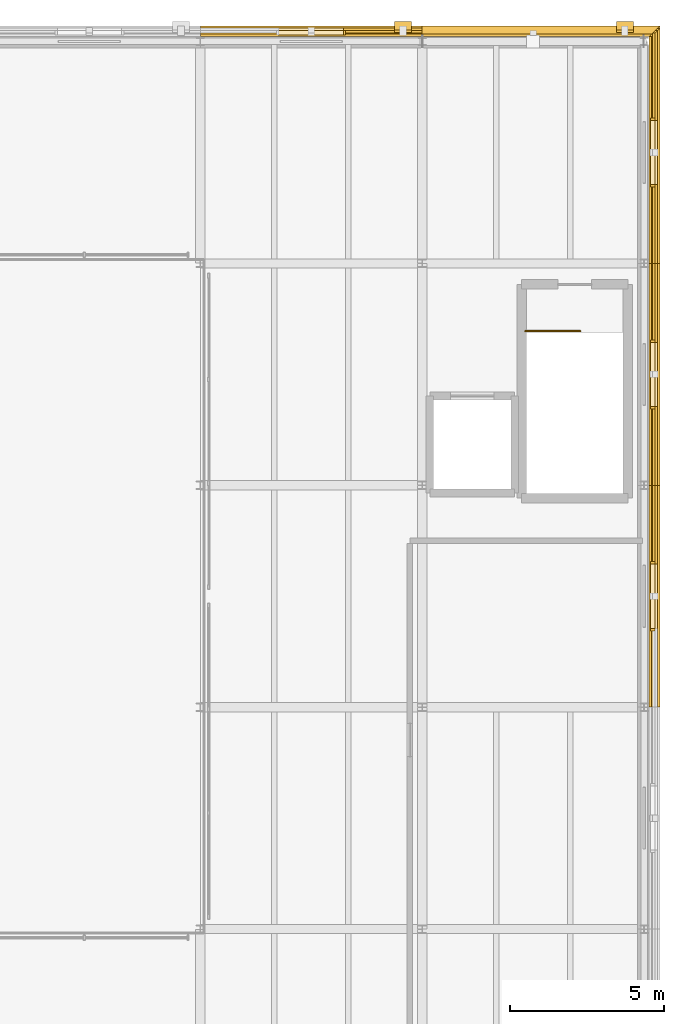
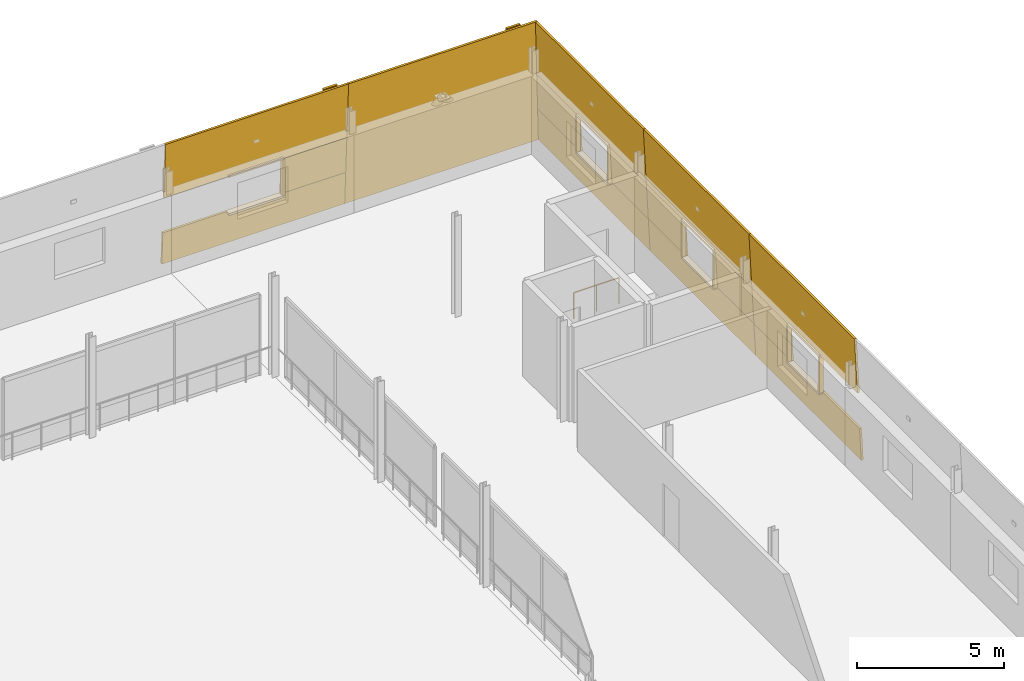
# One storey, part 115 of 115: 32 coverings, 1 railing.
"""IFC4 building model written with IfcOpenShell, lengths in metres."""

from ifc_helpers import new_model, si_unit, direction, frame, origin, origin_2d, place, context, subcontext, project, spatial, polyline, circle, outline, extrude, material, layer, layer_set, type_object, element, save


model = new_model("IFC4")

# Units and contexts
model_context = context("Model", 3, precision=1e-05, world=origin(), true_north=direction((0.0, 1.0)))
body_context = subcontext(model_context, "Body", "Model", "MODEL_VIEW")
ifc_project = project(units=[si_unit("LENGTHUNIT", "METRE"), si_unit("AREAUNIT", "SQUARE_METRE"), si_unit("VOLUMEUNIT", "CUBIC_METRE"), si_unit("PLANEANGLEUNIT", "RADIAN"), si_unit("MASSUNIT", "GRAM", prefix="KILO")], contexts=[model_context])

# Site, building, storey
site_placement = place(None, origin())
site = spatial("IfcSite", under=ifc_project, at=site_placement, CompositionType="ELEMENT")
building_placement = place(site_placement, origin())
building = spatial("IfcBuilding", under=site, at=building_placement, Name="Narikvali Park Central Library", CompositionType="ELEMENT")
storey_placement = place(building_placement, frame((0.0, 0.0, 10.199951171875)))
storey = spatial("IfcBuildingStorey", under=building, at=storey_placement, Name="L02", CompositionType="ELEMENT", Elevation=10.199951171875)

# Coverings
ifc_material_1 = material(Name="White Honed Limestone Cladding", Category="masonry")
ifc_layer_1 = layer(ifc_material_1, 0.0849609375, Name="White Honed Limestone Cladding")
ifc_layer_set_1 = layer_set([ifc_layer_1], Name="White Honed Limestone Cladding")
covering_type_1 = type_object("IfcCoveringType", Name="Battered White Limestone Facade Cladding Panel", PredefinedType="CLADDING", material=ifc_layer_set_1)
covering_1_placement = place(storey_placement, frame((166.1083984375, 93.60009765625, 0.0), z_axis=(0.998646611858, 0.0, 0.052009082137), x_axis=(0.0, 1.0, 0.0)))
element("IfcCovering", 1, at=covering_1_placement, inside=storey, type_object=covering_type_1, Name="V3 L02 E Battered Limestone Spandrel B03", PredefinedType="CLADDING", context=body_context, shape_type="SweptSolid", body=[
    extrude(outline(polyline([(0.0, 0.0), (7.199951171875, 0.0), (7.199951171875, 1.3519273386791144), (0.0, 1.3519273386791144), (0.0, 0.0)])), origin(), (0.0, 0.0, -1.0), 0.0849609375),
])
covering_2_placement = place(storey_placement, frame((165.9599609375, 93.60009765625, 2.85009765625), z_axis=(0.998644637883, 0.0, 0.052046971362), x_axis=(0.0, 1.0, 0.0)))
element("IfcCovering", 2, at=covering_2_placement, inside=storey, type_object=covering_type_1, Name="V3 L02 E Battered Limestone Lintel B03", PredefinedType="CLADDING", context=body_context, shape_type="SweptSolid", body=[
    extrude(outline(polyline([(0.0, 0.0), (7.199951171875, 0.0), (7.199951171875, 2.3031704581133985), (0.0, 2.3031704581133985), (0.0, 0.0)])), origin(), (0.0, 0.0, -1.0), 0.0849609375),
])
covering_3_placement = place(storey_placement, frame((166.0380859375, 98.239990234375, 1.35009765625), z_axis=(0.998646416446, 0.0, 0.05201283419), x_axis=(0.0, 1.0, 0.0)))
element("IfcCovering", 3, at=covering_3_placement, inside=storey, type_object=covering_type_1, Name="V3 L02 E Battered Limestone Jamb Pier R B03", PredefinedType="CLADDING", context=body_context, shape_type="SweptSolid", body=[
    extrude(outline(polyline([(0.0, 0.0), (2.56005859375, 0.0), (2.56005859375, 1.5020331273394072), (0.0, 1.5020331273394072), (0.0, 0.0)])), origin(), (0.0, 0.0, -1.0), 0.0849609375),
])
covering_4_placement = place(storey_placement, frame((166.1083984375, 100.800048828125, 0.0), z_axis=(0.998646611858, 0.0, 0.052009082137), x_axis=(0.0, 1.0, 0.0)))
element("IfcCovering", 4, at=covering_4_placement, inside=storey, type_object=covering_type_1, Name="V3 L02 E Battered Limestone Spandrel B04", PredefinedType="CLADDING", context=body_context, shape_type="SweptSolid", body=[
    extrude(outline(polyline([(0.0, 0.0), (7.199951171875, 0.0), (7.199951171875, 1.3519273386791144), (0.0, 1.3519273386791144), (0.0, 0.0)])), origin(), (0.0, 0.0, -1.0), 0.0849609375),
])
covering_5_placement = place(storey_placement, frame((165.9599609375, 100.800048828125, 2.85009765625), z_axis=(0.998644637883, 0.0, 0.052046971362), x_axis=(0.0, 1.0, 0.0)))
element("IfcCovering", 5, at=covering_5_placement, inside=storey, type_object=covering_type_1, Name="V3 L02 E Battered Limestone Lintel B04", PredefinedType="CLADDING", context=body_context, shape_type="SweptSolid", body=[
    extrude(outline(polyline([(0.0, 0.0), (7.199951171875, 0.0), (7.199951171875, 2.3031704581133985), (0.0, 2.3031704581133985), (0.0, 0.0)])), origin(), (0.0, 0.0, -1.0), 0.0849609375),
])
for number, where, z_axis, x_axis, name in (
    (6, (166.0380859375, 100.800048828125, 1.35009765625), (0.998646416446, 0.0, 0.05201283419), (0.0, 1.0, 0.0), "V3 L02 E Battered Limestone Jamb Pier L B04"),
    (7, (166.0380859375, 105.43994140625, 1.35009765625), (0.998646416446, 0.0, 0.05201283419), (0.0, 1.0, 0.0), "V3 L02 E Battered Limestone Jamb Pier R B04"),
):
    element("IfcCovering", number, at=place(storey_placement, frame(where, z_axis=z_axis, x_axis=x_axis)), inside=storey, type_object=covering_type_1, Name=name, PredefinedType="CLADDING", context=body_context, shape_type="SweptSolid", body=[
        extrude(outline(polyline([(0.0, 0.0), (2.56005859375, 0.0), (2.56005859375, 1.5020331273394072), (0.0, 1.5020331273394072), (0.0, 0.0)])), origin(), (0.0, 0.0, -1.0), 0.0849609375),
    ])
covering_6_placement = place(storey_placement, frame((166.1083984375, 108.0, 0.0), z_axis=(0.998646611858, 0.0, 0.052009082137), x_axis=(0.0, 1.0, 0.0)))
element("IfcCovering", 8, at=covering_6_placement, inside=storey, type_object=covering_type_1, Name="V3 L02 E Battered Limestone Spandrel B05", PredefinedType="CLADDING", context=body_context, shape_type="SweptSolid", body=[
    extrude(outline(polyline([(0.0, 0.0), (7.623291015625, 0.0), (7.552978515625, 1.3519273386791146), (0.0, 1.3519273386791146), (0.0, 0.0)])), origin(), (0.0, 0.0, -1.0), 0.0849609375),
])
covering_7_placement = place(storey_placement, frame((165.9599609375, 108.0, 2.85009765625), z_axis=(0.998644637883, 0.0, 0.052046971362), x_axis=(0.0, 1.0, 0.0)))
element("IfcCovering", 9, at=covering_7_placement, inside=storey, type_object=covering_type_1, Name="V3 L02 E Battered Limestone Lintel B05", PredefinedType="CLADDING", context=body_context, shape_type="SweptSolid", body=[
    extrude(outline(polyline([(0.0, 0.0), (7.474853515625, 0.0), (7.35498046875, 2.3031704581133985), (0.0, 2.3031704581133985), (0.0, 0.0)])), origin(), (0.0, 0.0, -1.0), 0.0849609375),
])
covering_8_placement = place(storey_placement, frame((166.0380859375, 108.0, 1.35009765625), z_axis=(0.998646416446, 0.0, 0.05201283419), x_axis=(0.0, 1.0, 0.0)))
element("IfcCovering", 10, at=covering_8_placement, inside=storey, type_object=covering_type_1, Name="V3 L02 E Battered Limestone Jamb Pier L B05", PredefinedType="CLADDING", context=body_context, shape_type="SweptSolid", body=[
    extrude(outline(polyline([(0.0, 0.0), (2.56005859375, 0.0), (2.56005859375, 1.5020331273394072), (0.0, 1.5020331273394072), (0.0, 0.0)])), origin(), (0.0, 0.0, -1.0), 0.0849609375),
])
covering_9_placement = place(storey_placement, frame((166.0380859375, 112.639892578125, 1.35009765625), z_axis=(0.998646416446, 0.0, 0.05201283419), x_axis=(0.0, 1.0, 0.0)))
element("IfcCovering", 11, at=covering_9_placement, inside=storey, type_object=covering_type_1, Name="V3 L02 E Battered Limestone Jamb Pier R B05", PredefinedType="CLADDING", context=body_context, shape_type="SweptSolid", body=[
    extrude(outline(polyline([(0.0, 0.0), (2.9130859375, 0.0), (2.8349609375, 1.5020331273394074), (0.0, 1.5020331273394074), (0.0, 0.0)])), origin(), (0.0, 0.0, -1.0), 0.0849609375),
])
covering_10_placement = place(storey_placement, frame((165.25, 115.848388671875, 0.0), z_axis=(0.0, 0.998645673528, 0.052027096241), x_axis=(-1.0, 0.0, 0.0)))
element("IfcCovering", 12, at=covering_10_placement, inside=storey, type_object=covering_type_1, Name="V3 L02 N Classical Limestone Pilaster B01", PredefinedType="CLADDING", context=body_context, shape_type="SweptSolid", body=[
    extrude(outline(polyline([(0.0, 0.0), (0.550048828125, 0.0), (0.550048828125, 5.157130923302659), (0.0, 5.157130923302659), (0.0, 0.0)])), origin(), (0.0, 0.0, -1.0), 0.0849609375),
])
covering_11_placement = place(storey_placement, frame((166.1083984375, 115.70849609375, 0.0), z_axis=(0.0, 0.998643212771, 0.052074308322), x_axis=(-1.0, 0.0, 0.0)))
element("IfcCovering", 13, at=covering_11_placement, inside=storey, type_object=covering_type_1, Name="V3 L02 N Battered Limestone Panel B01", PredefinedType="CLADDING", context=body_context, shape_type="SweptSolid", body=[
    extrude(outline(polyline([(0.0, 0.0), (7.70849609375, 0.0), (7.70849609375, 5.157143630993652), (0.268310546875, 5.157143630993652), (0.0, 0.0)])), origin(), (0.0, 0.0, -1.0), 0.0849609375),
])
covering_12_placement = place(storey_placement, frame((158.050048828125, 115.848388671875, 0.0), z_axis=(0.0, 0.998645673528, 0.052027096241), x_axis=(-1.0, 0.0, 0.0)))
element("IfcCovering", 14, at=covering_12_placement, inside=storey, type_object=covering_type_1, Name="V3 L02 N Classical Limestone Pilaster B02", PredefinedType="CLADDING", context=body_context, shape_type="SweptSolid", body=[
    extrude(outline(polyline([(0.0, 0.0), (0.550048828125, 0.0), (0.550048828125, 5.157130923302659), (0.0, 5.157130923302659), (0.0, 0.0)])), origin(), (0.0, 0.0, -1.0), 0.0849609375),
])
covering_13_placement = place(storey_placement, frame((158.39990234375, 115.70849609375, 0.0), z_axis=(0.0, 0.998637216249, 0.052189178209), x_axis=(-1.0, 0.0, 0.0)))
element("IfcCovering", 15, at=covering_13_placement, inside=storey, type_object=covering_type_1, Name="V3 L02 N Battered Limestone Spandrel B02", PredefinedType="CLADDING", context=body_context, shape_type="SweptSolid", body=[
    extrude(outline(polyline([(0.0, 0.0), (7.199951171875, 0.0), (7.199951171875, 1.3519400581934202), (0.0, 1.3519400581934202), (0.0, 0.0)])), origin(), (0.0, 0.0, -1.0), 0.0849609375),
])
covering_14_placement = place(storey_placement, frame((158.39990234375, 115.559814453125, 2.85009765625), z_axis=(0.0, 0.998644637883, 0.052046971362), x_axis=(-1.0, 0.0, 0.0)))
element("IfcCovering", 16, at=covering_14_placement, inside=storey, type_object=covering_type_1, Name="V3 L02 N Battered Limestone Lintel B02", PredefinedType="CLADDING", context=body_context, shape_type="SweptSolid", body=[
    extrude(outline(polyline([(0.0, 0.0), (7.199951171875, 0.0), (7.199951171875, 2.3031704581133985), (0.0, 2.3031704581133985), (0.0, 0.0)])), origin(), (0.0, 0.0, -1.0), 0.0849609375),
])
covering_15_placement = place(storey_placement, frame((158.39990234375, 115.637939453125, 1.35009765625), z_axis=(0.0, 0.998646416446, 0.05201283419), x_axis=(-1.0, 0.0, 0.0)))
element("IfcCovering", 17, at=covering_15_placement, inside=storey, type_object=covering_type_1, Name="V3 L02 N Battered Limestone Jamb Pier L B02", PredefinedType="CLADDING", context=body_context, shape_type="SweptSolid", body=[
    extrude(outline(polyline([(0.0, 0.0), (2.559814453125, 0.0), (2.559814453125, 1.5020331273394074), (0.0, 1.5020331273394074), (0.0, 0.0)])), origin(), (0.0, 0.0, -1.0), 0.0849609375),
])
ifc_layer_2 = layer(ifc_material_1, 0.080078125, Name="White Honed Limestone Cladding")
ifc_layer_set_2 = layer_set([ifc_layer_2], Name="White Honed Limestone Cladding")
covering_type_2 = type_object("IfcCoveringType", Name="Deep Carved White Limestone Window Reveal", PredefinedType="CLADDING", material=ifc_layer_set_2)
covering_16_placement = place(storey_placement, frame((0.0, 0.0, 2.85009765625)))
element("IfcCovering", 18, at=covering_16_placement, inside=storey, type_object=covering_type_2, Name="Deep Stone Reveal Head V3-RVL-L02-E-B03", PredefinedType="CLADDING", context=body_context, shape_type="SweptSolid", body=[
    extrude(outline(polyline([(165.804931640625, 96.1201171875), (165.804931640625, 98.280029296875), (165.9599609375, 98.280029296875), (165.9599609375, 96.1201171875), (165.804931640625, 96.1201171875)])), origin(), (0.0, 0.0, 1.0), 0.079833984375),
])
covering_17_placement = place(storey_placement, frame((0.0, 0.0, 1.27001953125)))
element("IfcCovering", 19, at=covering_17_placement, inside=storey, type_object=covering_type_2, Name="Deep Stone Reveal Sill V3-RVL-L02-E-B03", PredefinedType="CLADDING", context=body_context, shape_type="SweptSolid", body=[
    extrude(outline(polyline([(165.804931640625, 96.1201171875), (165.804931640625, 98.280029296875), (166.0380859375, 98.280029296875), (166.0380859375, 96.1201171875), (165.804931640625, 96.1201171875)])), origin(), (0.0, 0.0, 1.0), 0.080078125),
])
covering_18_placement = place(storey_placement, frame((0.0, 0.0, 1.35009765625)))
element("IfcCovering", 20, at=covering_18_placement, inside=storey, type_object=covering_type_2, Name="Deep Stone Reveal Jamb L V3-RVL-L02-E-B03", PredefinedType="CLADDING", context=body_context, shape_type="SweptSolid", body=[
    extrude(outline(polyline([(165.804931640625, 96.080078125), (165.804931640625, 96.159912109375), (165.9599609375, 96.159912109375), (165.9599609375, 96.080078125), (165.804931640625, 96.080078125)])), origin(), (0.0, 0.0, 1.0), 1.5),
])
covering_19_placement = place(storey_placement, frame((0.0, 0.0, 1.35009765625)))
element("IfcCovering", 21, at=covering_19_placement, inside=storey, type_object=covering_type_2, Name="Deep Stone Reveal Jamb R V3-RVL-L02-E-B03", PredefinedType="CLADDING", context=body_context, shape_type="SweptSolid", body=[
    extrude(outline(polyline([(165.804931640625, 98.239990234375), (165.804931640625, 98.320068359375), (165.9599609375, 98.320068359375), (165.9599609375, 98.239990234375), (165.804931640625, 98.239990234375)])), origin(), (0.0, 0.0, 1.0), 1.5),
])
covering_20_placement = place(storey_placement, frame((0.0, 0.0, 2.85009765625)))
element("IfcCovering", 22, at=covering_20_placement, inside=storey, type_object=covering_type_2, Name="Deep Stone Reveal Head V3-RVL-L02-E-B04", PredefinedType="CLADDING", context=body_context, shape_type="SweptSolid", body=[
    extrude(outline(polyline([(165.804931640625, 103.320068359375), (165.804931640625, 105.47998046875), (165.9599609375, 105.47998046875), (165.9599609375, 103.320068359375), (165.804931640625, 103.320068359375)])), origin(), (0.0, 0.0, 1.0), 0.079833984375),
])
covering_21_placement = place(storey_placement, frame((0.0, 0.0, 1.27001953125)))
element("IfcCovering", 23, at=covering_21_placement, inside=storey, type_object=covering_type_2, Name="Deep Stone Reveal Sill V3-RVL-L02-E-B04", PredefinedType="CLADDING", context=body_context, shape_type="SweptSolid", body=[
    extrude(outline(polyline([(165.804931640625, 103.320068359375), (165.804931640625, 105.47998046875), (166.0380859375, 105.47998046875), (166.0380859375, 103.320068359375), (165.804931640625, 103.320068359375)])), origin(), (0.0, 0.0, 1.0), 0.080078125),
])
covering_22_placement = place(storey_placement, frame((0.0, 0.0, 1.35009765625)))
element("IfcCovering", 24, at=covering_22_placement, inside=storey, type_object=covering_type_2, Name="Deep Stone Reveal Jamb L V3-RVL-L02-E-B04", PredefinedType="CLADDING", context=body_context, shape_type="SweptSolid", body=[
    extrude(outline(polyline([(165.804931640625, 103.280029296875), (165.804931640625, 103.360107421875), (165.9599609375, 103.360107421875), (165.9599609375, 103.280029296875), (165.804931640625, 103.280029296875)])), origin(), (0.0, 0.0, 1.0), 1.5),
])
covering_23_placement = place(storey_placement, frame((0.0, 0.0, 1.35009765625)))
element("IfcCovering", 25, at=covering_23_placement, inside=storey, type_object=covering_type_2, Name="Deep Stone Reveal Jamb R V3-RVL-L02-E-B04", PredefinedType="CLADDING", context=body_context, shape_type="SweptSolid", body=[
    extrude(outline(polyline([(165.804931640625, 105.43994140625), (165.804931640625, 105.52001953125), (165.9599609375, 105.52001953125), (165.9599609375, 105.43994140625), (165.804931640625, 105.43994140625)])), origin(), (0.0, 0.0, 1.0), 1.5),
])
covering_24_placement = place(storey_placement, frame((0.0, 0.0, 2.85009765625)))
element("IfcCovering", 26, at=covering_24_placement, inside=storey, type_object=covering_type_2, Name="Deep Stone Reveal Head V3-RVL-L02-E-B05", PredefinedType="CLADDING", context=body_context, shape_type="SweptSolid", body=[
    extrude(outline(polyline([(165.804931640625, 110.52001953125), (165.804931640625, 112.679931640625), (165.9599609375, 112.679931640625), (165.9599609375, 110.52001953125), (165.804931640625, 110.52001953125)])), origin(), (0.0, 0.0, 1.0), 0.079833984375),
])
covering_25_placement = place(storey_placement, frame((0.0, 0.0, 1.27001953125)))
element("IfcCovering", 27, at=covering_25_placement, inside=storey, type_object=covering_type_2, Name="Deep Stone Reveal Sill V3-RVL-L02-E-B05", PredefinedType="CLADDING", context=body_context, shape_type="SweptSolid", body=[
    extrude(outline(polyline([(165.804931640625, 110.52001953125), (165.804931640625, 112.679931640625), (166.0380859375, 112.679931640625), (166.0380859375, 110.52001953125), (165.804931640625, 110.52001953125)])), origin(), (0.0, 0.0, 1.0), 0.080078125),
])
covering_26_placement = place(storey_placement, frame((0.0, 0.0, 1.35009765625)))
element("IfcCovering", 28, at=covering_26_placement, inside=storey, type_object=covering_type_2, Name="Deep Stone Reveal Jamb L V3-RVL-L02-E-B05", PredefinedType="CLADDING", context=body_context, shape_type="SweptSolid", body=[
    extrude(outline(polyline([(165.804931640625, 110.47998046875), (165.804931640625, 110.56005859375), (165.9599609375, 110.56005859375), (165.9599609375, 110.47998046875), (165.804931640625, 110.47998046875)])), origin(), (0.0, 0.0, 1.0), 1.5),
])
covering_27_placement = place(storey_placement, frame((0.0, 0.0, 1.35009765625)))
element("IfcCovering", 29, at=covering_27_placement, inside=storey, type_object=covering_type_2, Name="Deep Stone Reveal Jamb R V3-RVL-L02-E-B05", PredefinedType="CLADDING", context=body_context, shape_type="SweptSolid", body=[
    extrude(outline(polyline([(165.804931640625, 112.639892578125), (165.804931640625, 112.719970703125), (165.9599609375, 112.719970703125), (165.9599609375, 112.639892578125), (165.804931640625, 112.639892578125)])), origin(), (0.0, 0.0, 1.0), 1.5),
])
covering_28_placement = place(storey_placement, frame((0.0, 0.0, 2.85009765625)))
element("IfcCovering", 30, at=covering_28_placement, inside=storey, type_object=covering_type_2, Name="Deep Stone Reveal Head V3-RVL-L02-N-B02", PredefinedType="CLADDING", context=body_context, shape_type="SweptSolid", body=[
    extrude(outline(polyline([(155.8798828125, 115.405029296875), (153.719970703125, 115.405029296875), (153.719970703125, 115.559814453125), (155.8798828125, 115.559814453125), (155.8798828125, 115.405029296875)])), origin(), (0.0, 0.0, 1.0), 0.079833984375),
])
covering_29_placement = place(storey_placement, frame((0.0, 0.0, 1.27001953125)))
element("IfcCovering", 31, at=covering_29_placement, inside=storey, type_object=covering_type_2, Name="Deep Stone Reveal Sill V3-RVL-L02-N-B02", PredefinedType="CLADDING", context=body_context, shape_type="SweptSolid", body=[
    extrude(outline(polyline([(155.8798828125, 115.405029296875), (153.719970703125, 115.405029296875), (153.719970703125, 115.637939453125), (155.8798828125, 115.637939453125), (155.8798828125, 115.405029296875)])), origin(), (0.0, 0.0, 1.0), 0.080078125),
])
covering_30_placement = place(storey_placement, frame((0.0, 0.0, 1.35009765625)))
element("IfcCovering", 32, at=covering_30_placement, inside=storey, type_object=covering_type_2, Name="Deep Stone Reveal Jamb L V3-RVL-L02-N-B02", PredefinedType="CLADDING", context=body_context, shape_type="SweptSolid", body=[
    extrude(outline(polyline([(155.919921875, 115.405029296875), (155.840087890625, 115.405029296875), (155.840087890625, 115.559814453125), (155.919921875, 115.559814453125), (155.919921875, 115.405029296875)])), origin(), (0.0, 0.0, 1.0), 1.5),
])

# Railing
ifc_material_2 = material(Name="Powder-Coated Steel S275", Category="steel")
ifc_layer_3 = layer(ifc_material_2, 0.050048828125, Name="Powder-Coated Steel S275")
ifc_layer_set_3 = layer_set([ifc_layer_3], Name="Powder-Coated Steel S275")
railing_type = type_object("IfcRailingType", Name="Stair Well Steel Guardrail 1100", PredefinedType="GUARDRAIL", material=ifc_layer_set_3)
railing_placement = place(storey_placement, frame((161.75, 105.800048828125, 0.0)))
element("IfcRailing", 33, at=railing_placement, inside=storey, type_object=railing_type, Name="L02 ST-06 top well guard 1", PredefinedType="GUARDRAIL", context=body_context, shape_type="SweptSolid", body=[
    extrude(circle(Radius=0.02392578125, at=origin_2d()), frame((0.0, 0.0, 1.076171875), z_axis=(1.0, 0.0, 0.0), x_axis=(0.0, 1.0, 0.0)), (0.0, 0.0, 1.0), 1.780029296875),
    extrude(circle(Radius=0.02099609375, at=origin_2d()), origin(), (0.0, 0.0, 1.0), 1.052001953125),
    extrude(circle(Radius=0.02099609375, at=origin_2d()), frame((0.89013671875, 0.0, 0.0)), (0.0, 0.0, 1.0), 1.052001953125),
    extrude(circle(Radius=0.02099609375, at=origin_2d()), frame((1.780029296875, 0.0, 0.0)), (0.0, 0.0, 1.0), 1.052001953125),
])

save(model, "model.ifc")
